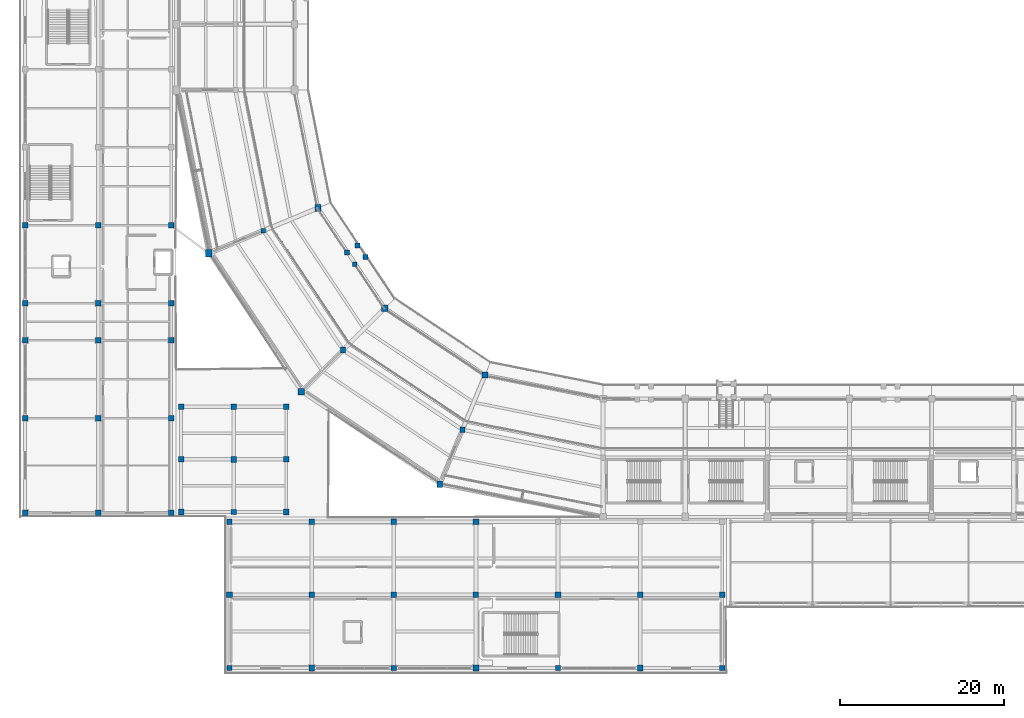
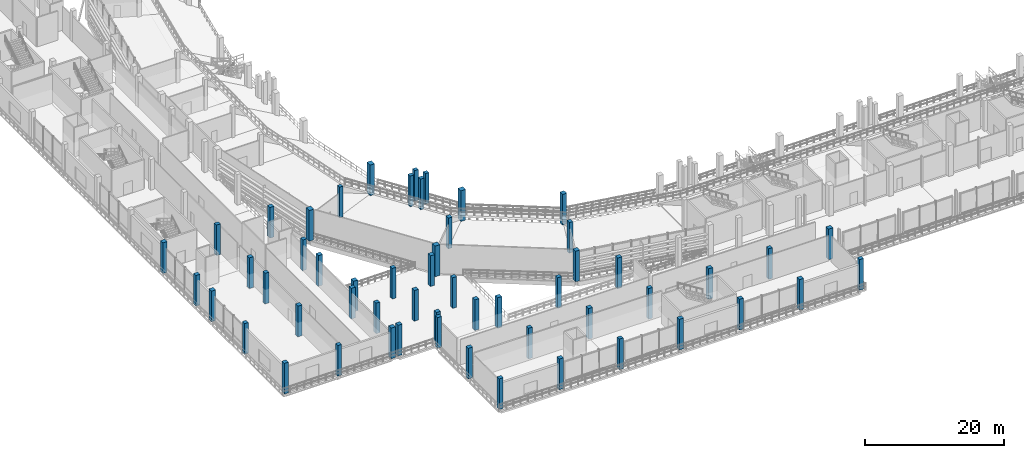
# One storey, part 1 of 127: 55 columns.
"""IFC4 building model written with IfcOpenShell, lengths in metres."""

from ifc_helpers import new_model, si_unit, direction, frame, origin, origin_2d, place, context, subcontext, project, spatial, rectangle, extrude, material, material_profile, profile_set, type_object, element, save


model = new_model("IFC4")

# Units and contexts
model_context = context("Model", 3, precision=1e-05, world=origin(), true_north=direction((0.0, 1.0)))
body_context = subcontext(model_context, "Body", "Model", "MODEL_VIEW")
ifc_project = project(units=[si_unit("LENGTHUNIT", "METRE"), si_unit("AREAUNIT", "SQUARE_METRE"), si_unit("VOLUMEUNIT", "CUBIC_METRE"), si_unit("PLANEANGLEUNIT", "RADIAN"), si_unit("MASSUNIT", "GRAM", prefix="KILO")], contexts=[model_context])

# Site, building, storey
site_placement = place(None, origin())
site = spatial("IfcSite", under=ifc_project, at=site_placement, CompositionType="ELEMENT")
building_placement = place(site_placement, origin())
building = spatial("IfcBuilding", under=site, at=building_placement, Name="Candeia Ridge Stadium", CompositionType="ELEMENT")
storey_placement = place(building_placement, frame((0.0, 0.0, 10.800048828125)))
storey = spatial("IfcBuildingStorey", under=building, at=storey_placement, Name="L02", CompositionType="ELEMENT", Elevation=10.800048828125)

# Columns
ifc_material_1 = material(Name="Concrete C45/55", Category="concrete")
ifc_material_profile_1 = material_profile(ifc_material_1, rectangle(XDim=0.800048828125, YDim=0.800048828125, at=origin_2d()), Name="RC800x800", Category="concrete")
ifc_profile_set_1 = profile_set([ifc_material_profile_1], Name="Concrete C45/55")
column_type_1 = type_object("IfcColumnType", Name="Bowl Column RC800x800", PredefinedType="COLUMN", material=ifc_profile_set_1)
for number, where, z_axis, x_axis, name in (
    (1, (44.412841796875, 44.412841796875, 0.0), (0.0, 0.0, 1.0), (1.0, 0.0, 0.0), "Structural column BC-MD-16 L02"),
    (2, (34.23046875, 34.23046875, 0.0), (0.0, 0.0, 1.0), (1.0, 0.0, 0.0), "Structural column BC-OU-16 L02"),
):
    element("IfcColumn", number, at=place(storey_placement, frame(where, z_axis=z_axis, x_axis=x_axis)), inside=storey, type_object=column_type_1, Name=name, PredefinedType="COLUMN", context=body_context, shape_type="SweptSolid", body=[
        extrude(rectangle(XDim=0.800048828125, YDim=0.800048828125, at=origin_2d()), origin(), (0.0, 0.0, 1.0), 5.39990234375),
    ])
ifc_material_2 = material(Name="Concrete C40/50", Category="concrete")
ifc_material_profile_2 = material_profile(ifc_material_2, rectangle(XDim=0.580078125, YDim=0.580078125, at=origin_2d()), Name="RC580x580", Category="concrete")
ifc_profile_set_2 = profile_set([ifc_material_profile_2], Name="Concrete C40/50")
column_type_2 = type_object("IfcColumnType", Name="Graduated Frame Column RC580x580", PredefinedType="COLUMN", material=ifc_profile_set_2)
column_1_placement = place(storey_placement, frame((29.610107421875, 53.855712890625, 0.0), z_axis=(0.0, 0.0, 1.0), x_axis=(1.0, 0.0, 0.0)))
element("IfcColumn", 3, at=column_1_placement, inside=storey, type_object=column_type_2, Name="Structural column BC-M2-15 L02", PredefinedType="COLUMN", context=body_context, shape_type="SweptSolid", body=[
    extrude(rectangle(XDim=0.580078125, YDim=0.580078125, at=origin_2d()), origin(), (0.0, 0.0, 1.0), 5.39990234375),
])
ifc_material_profile_3 = material_profile(ifc_material_2, rectangle(XDim=0.580078125, YDim=0.679931640625, at=origin_2d()), Name="RC580x680", Category="concrete")
ifc_profile_set_3 = profile_set([ifc_material_profile_3], Name="Concrete C40/50")
column_type_3 = type_object("IfcColumnType", Name="Graduated Frame Column RC580x680", PredefinedType="COLUMN", material=ifc_profile_set_3)
column_2_placement = place(storey_placement, frame((53.855712890625, 29.610107421875, 0.0), z_axis=(0.0, 0.0, 1.0), x_axis=(1.0, 0.0, 0.0)))
element("IfcColumn", 4, at=column_2_placement, inside=storey, type_object=column_type_3, Name="Structural column BC-M2-17 L02", PredefinedType="COLUMN", context=body_context, shape_type="SweptSolid", body=[
    extrude(rectangle(XDim=0.580078125, YDim=0.679931640625, at=origin_2d()), origin(), (0.0, 0.0, 1.0), 5.39990234375),
])
ifc_material_profile_4 = material_profile(ifc_material_2, rectangle(XDim=0.6201171875, YDim=0.719970703125, at=origin_2d()), Name="RC620x720", Category="concrete")
ifc_profile_set_4 = profile_set([ifc_material_profile_4], Name="Concrete C40/50")
column_type_4 = type_object("IfcColumnType", Name="Graduated Frame Column RC620x720", PredefinedType="COLUMN", material=ifc_profile_set_4)
column_3_placement = place(storey_placement, frame((39.321533203125, 39.321533203125, 0.0), z_axis=(0.0, 0.0, 1.0), x_axis=(1.0, 0.0, 0.0)))
element("IfcColumn", 5, at=column_3_placement, inside=storey, type_object=column_type_4, Name="Structural column BC-M2-16 L02", PredefinedType="COLUMN", context=body_context, shape_type="SweptSolid", body=[
    extrude(rectangle(XDim=0.6201171875, YDim=0.719970703125, at=origin_2d()), origin(), (0.0, 0.0, 1.0), 5.39990234375),
])
ifc_material_profile_5 = material_profile(ifc_material_2, rectangle(XDim=0.679931640625, YDim=0.760009765625, at=origin_2d()), Name="RC680x760", Category="concrete")
ifc_profile_set_5 = profile_set([ifc_material_profile_5], Name="Concrete C40/50")
column_type_5 = type_object("IfcColumnType", Name="Graduated Frame Column RC680x760", PredefinedType="COLUMN", material=ifc_profile_set_5)
for number, where, z_axis, x_axis, name in (
    (6, (56.611083984375, 36.26220703125, 0.0), (0.0, 0.0, 1.0), (1.0, 0.0, 0.0), "Structural column BC-MD-17 L02"),
    (7, (51.100341796875, 22.958251953125, 0.0), (0.0, 0.0, 1.0), (1.0, 0.0, 0.0), "Structural column BC-OU-17 L02"),
):
    element("IfcColumn", number, at=place(storey_placement, frame(where, z_axis=z_axis, x_axis=x_axis)), inside=storey, type_object=column_type_5, Name=name, PredefinedType="COLUMN", context=body_context, shape_type="SweptSolid", body=[
        extrude(rectangle(XDim=0.679931640625, YDim=0.760009765625, at=origin_2d()), origin(), (0.0, 0.0, 1.0), 5.39990234375),
    ])
ifc_material_profile_6 = material_profile(ifc_material_2, rectangle(XDim=0.64990234375, YDim=0.64990234375, at=origin_2d()), Name="RC650x650", Category="concrete")
ifc_profile_set_6 = profile_set([ifc_material_profile_6], Name="Concrete C40/50")
column_type_6 = type_object("IfcColumnType", Name="Reinforced Concrete Column RC650x650", PredefinedType="COLUMN", material=ifc_profile_set_6)
for number, where, z_axis, x_axis, name in (
    (8, (0.60009765625, 31.0, 0.0), (0.0, 0.0, 1.0), (1.0, 0.0, 0.0), "Structural column WP-00-01 L02"),
    (9, (0.60009765625, 45.0, 0.0), (0.0, 0.0, 1.0), (1.0, 0.0, 0.0), "Structural column WP-00-03 L02"),
    (10, (9.5, 19.5, 0.0), (0.0, 0.0, 1.0), (1.0, 0.0, 0.0), "Structural column WP-01-00 L02"),
    (11, (9.5, 40.5, 0.0), (0.0, 0.0, 1.0), (1.0, 0.0, 0.0), "Structural column WP-01-02 L02"),
    (12, (9.5, 54.5, 0.0), (0.0, 0.0, 1.0), (1.0, 0.0, 0.0), "Structural column WP-01-04 L02"),
    (13, (18.39990234375, 31.0, 0.0), (0.0, 0.0, 1.0), (1.0, 0.0, 0.0), "Structural column WP-02-01 L02"),
    (14, (18.39990234375, 45.0, 0.0), (0.0, 0.0, 1.0), (1.0, 0.0, 0.0), "Structural column WP-02-03 L02"),
    (15, (25.5, 0.60009765625, 0.0), (0.0, 0.0, 1.0), (1.0, 0.0, 0.0), "Structural column SWW-00-00 L02"),
    (16, (25.5, 18.39990234375, 0.0), (0.0, 0.0, 1.0), (1.0, 0.0, 0.0), "Structural column SWW-00-02 L02"),
    (17, (35.5, 9.5, 0.0), (0.0, 0.0, 1.0), (1.0, 0.0, 0.0), "Structural column SWW-01-01 L02"),
    (18, (45.5, 0.60009765625, 0.0), (0.0, 0.0, 1.0), (1.0, 0.0, 0.0), "Structural column SWW-02-00 L02"),
    (19, (45.5, 18.39990234375, 0.0), (0.0, 0.0, 1.0), (1.0, 0.0, 0.0), "Structural column SWW-02-02 L02"),
    (20, (55.5, 9.5, 0.0), (0.0, 0.0, 1.0), (1.0, 0.0, 0.0), "Structural column SWW-03-01 L02"),
    (21, (65.5, 0.60009765625, 0.0), (0.0, 0.0, 1.0), (1.0, 0.0, 0.0), "Structural column SWW-04-00 L02"),
    (22, (75.5, 9.5, 0.0), (0.0, 0.0, 1.0), (1.0, 0.0, 0.0), "Structural column SWW-05-01 L02"),
    (23, (85.5, 0.60009765625, 0.0), (0.0, 0.0, 1.0), (1.0, 0.0, 0.0), "Structural column SWW-06-00 L02"),
    (24, (19.60009765625, 26.0, 0.0), (0.0, 0.0, 1.0), (1.0, 0.0, 0.0), "Structural column SPSW-00-01 L02"),
    (25, (26.0, 19.60009765625, 0.0), (0.0, 0.0, 1.0), (1.0, 0.0, 0.0), "Structural column SPSW-01-00 L02"),
    (26, (26.0, 32.39990234375, 0.0), (0.0, 0.0, 1.0), (1.0, 0.0, 0.0), "Structural column SPSW-01-02 L02"),
    (27, (32.39990234375, 26.0, 0.0), (0.0, 0.0, 1.0), (1.0, 0.0, 0.0), "Structural column SPSW-02-01 L02"),
):
    element("IfcColumn", number, at=place(storey_placement, frame(where, z_axis=z_axis, x_axis=x_axis)), inside=storey, type_object=column_type_6, Name=name, PredefinedType="COLUMN", context=body_context, shape_type="SweptSolid", body=[
        extrude(rectangle(XDim=0.64990234375, YDim=0.64990234375, at=origin_2d()), origin(), (0.0, 0.0, 1.0), 5.39990234375),
    ])
ifc_material_profile_7 = material_profile(ifc_material_1, rectangle(XDim=0.75, YDim=0.89990234375, at=origin_2d()), Name="RC750x900", Category="concrete")
ifc_profile_set_7 = profile_set([ifc_material_profile_7], Name="Concrete C45/55")
column_type_7 = type_object("IfcColumnType", Name="Reinforced Concrete Column RC750x900", PredefinedType="COLUMN", material=ifc_profile_set_7)
for number, where, z_axis, x_axis, name in (
    (28, (36.26220703125, 56.611083984375, 0.0), (0.0, 0.0, 1.0), (1.0, 0.0, 0.0), "Structural column BC-MD-15 L02"),
    (29, (22.958251953125, 51.100341796875, 0.0), (0.0, 0.0, 1.0), (1.0, 0.0, 0.0), "Structural column BC-OU-15 L02"),
):
    element("IfcColumn", number, at=place(storey_placement, frame(where, z_axis=z_axis, x_axis=x_axis)), inside=storey, type_object=column_type_7, Name=name, PredefinedType="COLUMN", context=body_context, shape_type="SweptSolid", body=[
        extrude(rectangle(XDim=0.75, YDim=0.89990234375, at=origin_2d()), origin(), (0.0, 0.0, 1.0), 5.39990234375),
    ])
ifc_material_profile_8 = material_profile(ifc_material_2, rectangle(XDim=0.60009765625, YDim=0.60009765625, at=origin_2d()), Name="RC600x600", Category="concrete")
ifc_profile_set_8 = profile_set([ifc_material_profile_8], Name="Concrete C40/50")
column_type_8 = type_object("IfcColumnType", Name="Wing Column RC600x600", PredefinedType="COLUMN", material=ifc_profile_set_8)
for number, where, z_axis, x_axis, name in (
    (30, (40.748291015625, 49.76416015625, 0.0), (0.0, 0.0, 1.0), (1.0, 0.0, 0.0), "Vomitory VS30 landing support column 1 L02"),
    (31, (42.037109375, 50.62548828125, 0.0), (0.0, 0.0, 1.0), (1.0, 0.0, 0.0), "Vomitory VS30 landing support column 2 L02"),
    (32, (41.0927734375, 52.038818359375, 0.0), (0.0, 0.0, 1.0), (1.0, 0.0, 0.0), "Vomitory VS30 landing support column 3 L02"),
    (33, (39.803955078125, 51.177734375, 0.0), (0.0, 0.0, 1.0), (1.0, 0.0, 0.0), "Vomitory VS30 landing support column 4 L02"),
):
    element("IfcColumn", number, at=place(storey_placement, frame(where, z_axis=z_axis, x_axis=x_axis)), inside=storey, type_object=column_type_8, Name=name, PredefinedType="COLUMN", context=body_context, shape_type="SweptSolid", body=[
        extrude(rectangle(XDim=0.60009765625, YDim=0.60009765625, at=origin_2d()), origin(), (0.0, 0.0, 1.0), 5.39990234375),
    ])
ifc_material_profile_9 = material_profile(ifc_material_2, rectangle(XDim=0.699951171875, YDim=0.699951171875, at=origin_2d()), Name="RC700x700", Category="concrete")
ifc_profile_set_9 = profile_set([ifc_material_profile_9], Name="Concrete C40/50")
column_type_9 = type_object("IfcColumnType", Name="Wing Column RC700x700", PredefinedType="COLUMN", material=ifc_profile_set_9)
for number, where, z_axis, x_axis, name in (
    (34, (0.60009765625, 19.5, 0.0), (0.0, 0.0, 1.0), (1.0, 0.0, 0.0), "Structural column WP-00-00 L02"),
    (35, (0.60009765625, 40.5, 0.0), (0.0, 0.0, 1.0), (1.0, 0.0, 0.0), "Structural column WP-00-02 L02"),
    (36, (0.60009765625, 54.5, 0.0), (0.0, 0.0, 1.0), (1.0, 0.0, 0.0), "Structural column WP-00-04 L02"),
    (37, (9.5, 31.0, 0.0), (0.0, 0.0, 1.0), (1.0, 0.0, 0.0), "Structural column WP-01-01 L02"),
    (38, (9.5, 45.0, 0.0), (0.0, 0.0, 1.0), (1.0, 0.0, 0.0), "Structural column WP-01-03 L02"),
    (39, (18.39990234375, 19.5, 0.0), (0.0, 0.0, 1.0), (1.0, 0.0, 0.0), "Structural column WP-02-00 L02"),
    (40, (18.39990234375, 40.5, 0.0), (0.0, 0.0, 1.0), (1.0, 0.0, 0.0), "Structural column WP-02-02 L02"),
    (41, (18.39990234375, 54.5, 0.0), (0.0, 0.0, 1.0), (1.0, 0.0, 0.0), "Structural column WP-02-04 L02"),
    (42, (25.5, 9.5, 0.0), (0.0, 0.0, 1.0), (1.0, 0.0, 0.0), "Structural column SWW-00-01 L02"),
    (43, (35.5, 0.60009765625, 0.0), (0.0, 0.0, 1.0), (1.0, 0.0, 0.0), "Structural column SWW-01-00 L02"),
    (44, (35.5, 18.39990234375, 0.0), (0.0, 0.0, 1.0), (1.0, 0.0, 0.0), "Structural column SWW-01-02 L02"),
    (45, (45.5, 9.5, 0.0), (0.0, 0.0, 1.0), (1.0, 0.0, 0.0), "Structural column SWW-02-01 L02"),
    (46, (55.5, 0.60009765625, 0.0), (0.0, 0.0, 1.0), (1.0, 0.0, 0.0), "Structural column SWW-03-00 L02"),
    (47, (55.5, 18.39990234375, 0.0), (0.0, 0.0, 1.0), (1.0, 0.0, 0.0), "Structural column SWW-03-02 L02"),
    (48, (65.5, 9.5, 0.0), (0.0, 0.0, 1.0), (1.0, 0.0, 0.0), "Structural column SWW-04-01 L02"),
    (49, (75.5, 0.60009765625, 0.0), (0.0, 0.0, 1.0), (1.0, 0.0, 0.0), "Structural column SWW-05-00 L02"),
    (50, (85.5, 9.5, 0.0), (0.0, 0.0, 1.0), (1.0, 0.0, 0.0), "Structural column SWW-06-01 L02"),
    (51, (19.60009765625, 19.60009765625, 0.0), (0.0, 0.0, 1.0), (1.0, 0.0, 0.0), "Structural column SPSW-00-00 L02"),
    (52, (19.60009765625, 32.39990234375, 0.0), (0.0, 0.0, 1.0), (1.0, 0.0, 0.0), "Structural column SPSW-00-02 L02"),
    (53, (26.0, 26.0, 0.0), (0.0, 0.0, 1.0), (1.0, 0.0, 0.0), "Structural column SPSW-01-01 L02"),
    (54, (32.39990234375, 19.60009765625, 0.0), (0.0, 0.0, 1.0), (1.0, 0.0, 0.0), "Structural column SPSW-02-00 L02"),
    (55, (32.39990234375, 32.39990234375, 0.0), (0.0, 0.0, 1.0), (1.0, 0.0, 0.0), "Structural column SPSW-02-02 L02"),
):
    element("IfcColumn", number, at=place(storey_placement, frame(where, z_axis=z_axis, x_axis=x_axis)), inside=storey, type_object=column_type_9, Name=name, PredefinedType="COLUMN", context=body_context, shape_type="SweptSolid", body=[
        extrude(rectangle(XDim=0.699951171875, YDim=0.699951171875, at=origin_2d()), origin(), (0.0, 0.0, 1.0), 5.39990234375),
    ])

save(model, "model.ifc")
